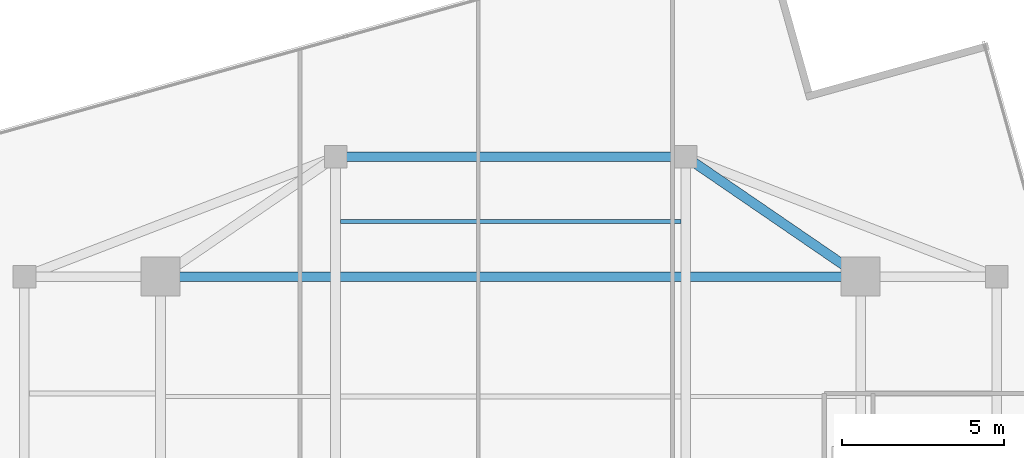
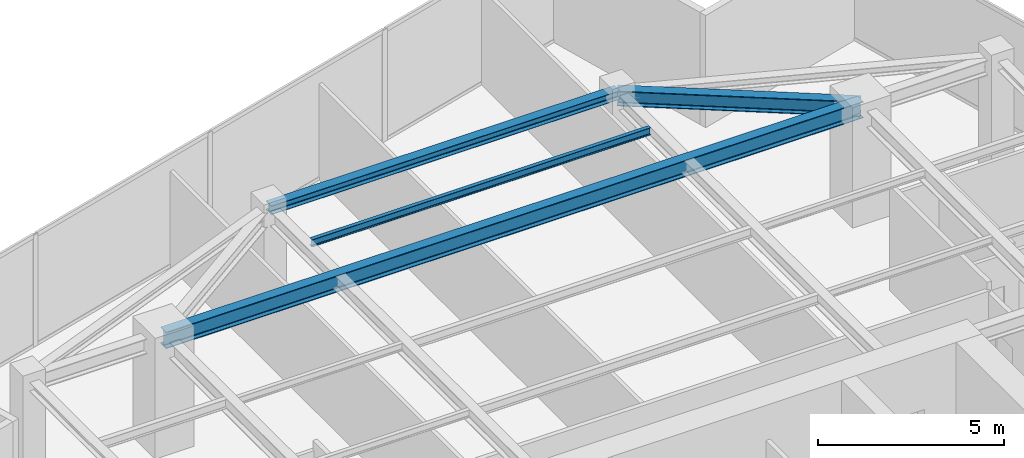
# One storey, part 13 of 21: 4 beams.
"""IFC4 building model written with IfcOpenShell, lengths in metres."""

from ifc_helpers import new_model, si_unit, direction, frame, origin, origin_2d, place, context, subcontext, project, spatial, i_section, extrude, source, transform, mapped, material, material_profile, profile_set, type_object, type_shapes, element, save


model = new_model("IFC4")

# Units and contexts
model_context = context("Model", 3, precision=1e-05, world=origin(), true_north=direction((0.0, 1.0)))
body_context = subcontext(model_context, "Body", "Model", "MODEL_VIEW")
ifc_project = project(units=[si_unit("LENGTHUNIT", "METRE"), si_unit("AREAUNIT", "SQUARE_METRE"), si_unit("VOLUMEUNIT", "CUBIC_METRE"), si_unit("PLANEANGLEUNIT", "RADIAN"), si_unit("MASSUNIT", "GRAM", prefix="KILO")], contexts=[model_context])

# Site, building, storey
site_placement = place(None, origin())
site = spatial("IfcSite", under=ifc_project, at=site_placement, CompositionType="ELEMENT")
building_placement = place(site_placement, origin())
building = spatial("IfcBuilding", under=site, at=building_placement, Name="Krantzveldt Concourse Tower", CompositionType="ELEMENT")
storey_placement = place(building_placement, frame((0.0, 0.0, 347.449951171875)))
storey = spatial("IfcBuildingStorey", under=building, at=storey_placement, Name="L85", CompositionType="ELEMENT", Elevation=347.449951171875)

# Beams
ifc_material = material(Name="Steel S355JR", Category="steel")
ifc_material_profile_1 = material_profile(ifc_material, i_section(OverallWidth=0.300048828125, OverallDepth=0.489990234375, WebThickness=0.011962890625, FlangeThickness=0.02294921875, FilletRadius=0.027099609375, at=origin_2d()), Name="Steel S355JR", Category="steel")
ifc_profile_set_1 = profile_set([ifc_material_profile_1], Name="Steel S355JR - HEA 500")
beam_type_1 = type_object("IfcBeamType", Name="BM-B-HEA500", PredefinedType="BEAM", material=ifc_profile_set_1)
shared_shape_1 = source(origin(), body_context, "Body", "SweptSolid", [
    extrude(i_section(OverallWidth=0.300048828125, OverallDepth=0.489990234375, WebThickness=0.011962890625, FlangeThickness=0.02294921875, FilletRadius=0.027099609375, at=origin_2d()), origin(), (0.0, 0.0, 1.0), 6.546142578125),
])
type_shapes(beam_type_1, [shared_shape_1])
beam_1_placement = place(storey_placement, frame((46.800048828125, 37.5, 3.425048828125), z_axis=(-0.824942999484, 0.565215930068, 0.0), x_axis=(-0.565215930068, -0.824942999484, 0.0)))
element("IfcBeam", 1, at=beam_1_placement, inside=storey, type_object=beam_type_1, Name="L85 Tower Girder BR-RR4", PredefinedType="BEAM", context=body_context, shape_type="MappedRepresentation", body=[
    mapped(shared_shape_1, transform((0.0, 0.0, 0.0), x_axis=(1.0, 0.0, 0.0), y_axis=(0.0, 1.0, 0.0), z_axis=(0.0, 0.0, 1.0), scale=1.0)),
])
ifc_material_profile_2 = material_profile(ifc_material, i_section(OverallWidth=0.300048828125, OverallDepth=0.5400390625, WebThickness=0.012451171875, FlangeThickness=0.02392578125, FilletRadius=0.027099609375, at=origin_2d()), Name="Steel S355JR", Category="steel")
ifc_profile_set_2 = profile_set([ifc_material_profile_2], Name="Steel S355JR - HEA 550")
beam_type_2 = type_object("IfcBeamType", Name="BM-B-HEA550", PredefinedType="BEAM", material=ifc_profile_set_2)
shared_shape_2 = source(origin(), body_context, "Body", "SweptSolid", [
    extrude(i_section(OverallWidth=0.300048828125, OverallDepth=0.5400390625, WebThickness=0.012451171875, FlangeThickness=0.02392578125, FilletRadius=0.027099609375, at=origin_2d()), origin(), (0.0, 0.0, 1.0), 21.60009765625),
])
type_shapes(beam_type_2, [shared_shape_2])
beam_2_placement = place(storey_placement, frame((25.199951171875, 37.5, 3.400146484375), z_axis=(1.0, 0.0, 0.0), x_axis=(0.0, 1.0, 0.0)))
element("IfcBeam", 2, at=beam_2_placement, inside=storey, type_object=beam_type_2, Name="L85 Tower Girder BG-MN", PredefinedType="BEAM", context=body_context, shape_type="MappedRepresentation", body=[
    mapped(shared_shape_2, transform((0.0, 0.0, 0.0), x_axis=(1.0, 0.0, 0.0), y_axis=(0.0, 1.0, 0.0), z_axis=(0.0, 0.0, 1.0), scale=1.0)),
])
ifc_material_profile_3 = material_profile(ifc_material, i_section(OverallWidth=0.2900390625, OverallDepth=0.2900390625, WebThickness=0.008544921875, FlangeThickness=0.013916015625, FilletRadius=0.027099609375, at=origin_2d()), Name="Steel S355JR", Category="steel")
ifc_profile_set_3 = profile_set([ifc_material_profile_3], Name="Steel S355JR - HEA 300")
beam_type_3 = type_object("IfcBeamType", Name="BM-SP-HEA300", PredefinedType="SPANDREL", material=ifc_profile_set_3)
shared_shape_3 = source(origin(), body_context, "Body", "SweptSolid", [
    extrude(i_section(OverallWidth=0.2900390625, OverallDepth=0.2900390625, WebThickness=0.008544921875, FlangeThickness=0.013916015625, FilletRadius=0.027099609375, at=origin_2d()), origin(), (0.0, 0.0, 1.0), 10.7998046875),
])
type_shapes(beam_type_3, [shared_shape_3])
beam_3_placement = place(storey_placement, frame((30.60009765625, 41.199951171875, 3.525146484375), z_axis=(1.0, 0.0, 0.0), x_axis=(0.0, 1.0, 0.0)))
element("IfcBeam", 3, at=beam_3_placement, inside=storey, type_object=beam_type_3, Name="L85 Tower Girder SP-R04", PredefinedType="SPANDREL", context=body_context, shape_type="MappedRepresentation", body=[
    mapped(shared_shape_3, transform((0.0, 0.0, 0.0), x_axis=(1.0, 0.0, 0.0), y_axis=(0.0, 1.0, 0.0), z_axis=(0.0, 0.0, 1.0), scale=1.0)),
])
ifc_material_profile_4 = material_profile(ifc_material, i_section(OverallWidth=0.1201171875, OverallDepth=0.239990234375, WebThickness=0.006103515625, FlangeThickness=0.009765625, FilletRadius=0.014892578125, at=origin_2d()), Name="Steel S355JR", Category="steel")
ifc_profile_set_4 = profile_set([ifc_material_profile_4], Name="Steel S355JR - IPE 240")
beam_type_4 = type_object("IfcBeamType", Name="BM-LN-IPE240", PredefinedType="LINTEL", material=ifc_profile_set_4)
shared_shape_4 = source(origin(), body_context, "Body", "SweptSolid", [
    extrude(i_section(OverallWidth=0.1201171875, OverallDepth=0.239990234375, WebThickness=0.006103515625, FlangeThickness=0.009765625, FilletRadius=0.014892578125, at=origin_2d()), origin(), (0.0, 0.0, 1.0), 10.5),
])
type_shapes(beam_type_4, [shared_shape_4])
beam_4_placement = place(storey_placement, frame((30.75, 39.199951171875, 3.550048828125), z_axis=(1.0, 0.0, 0.0), x_axis=(0.0, 1.0, 0.0)))
element("IfcBeam", 4, at=beam_4_placement, inside=storey, type_object=beam_type_4, Name="L85 Secondary Floor Joist JN-C3", PredefinedType="LINTEL", context=body_context, shape_type="MappedRepresentation", body=[
    mapped(shared_shape_4, transform((0.0, 0.0, 0.0), x_axis=(1.0, 0.0, 0.0), y_axis=(0.0, 1.0, 0.0), z_axis=(0.0, 0.0, 1.0), scale=1.0)),
])

save(model, "model.ifc")
